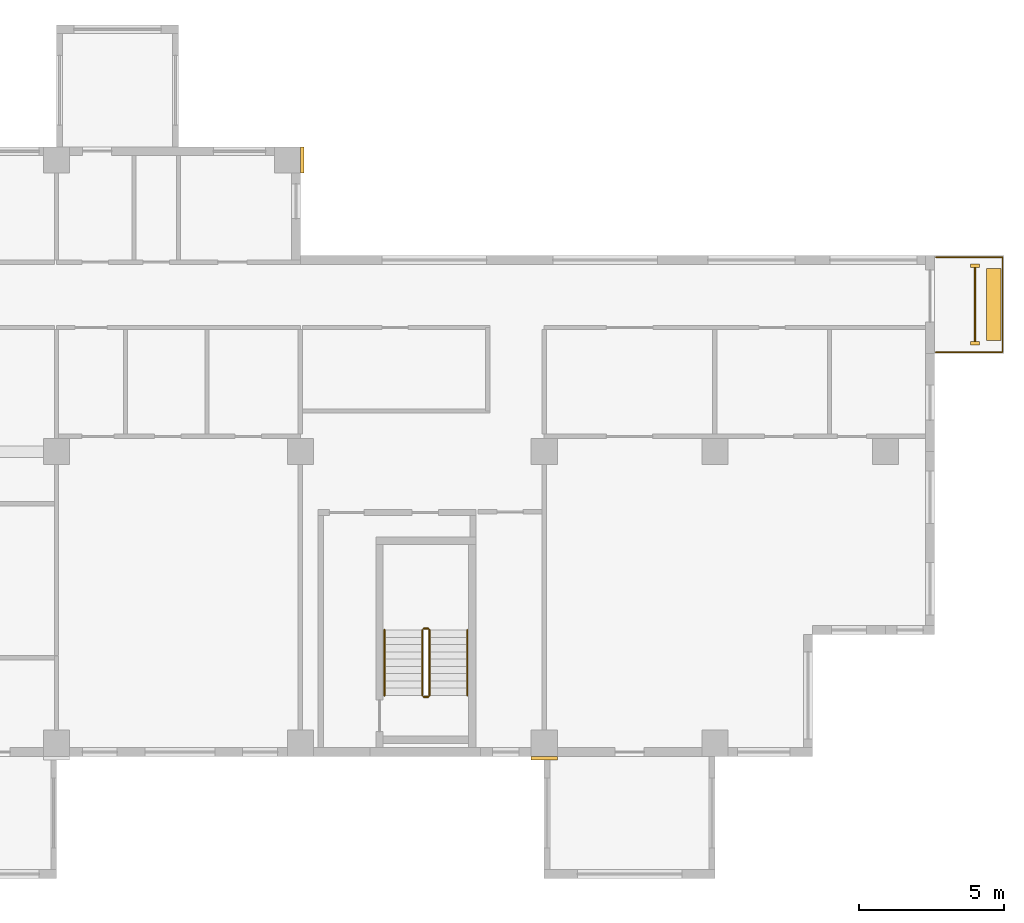
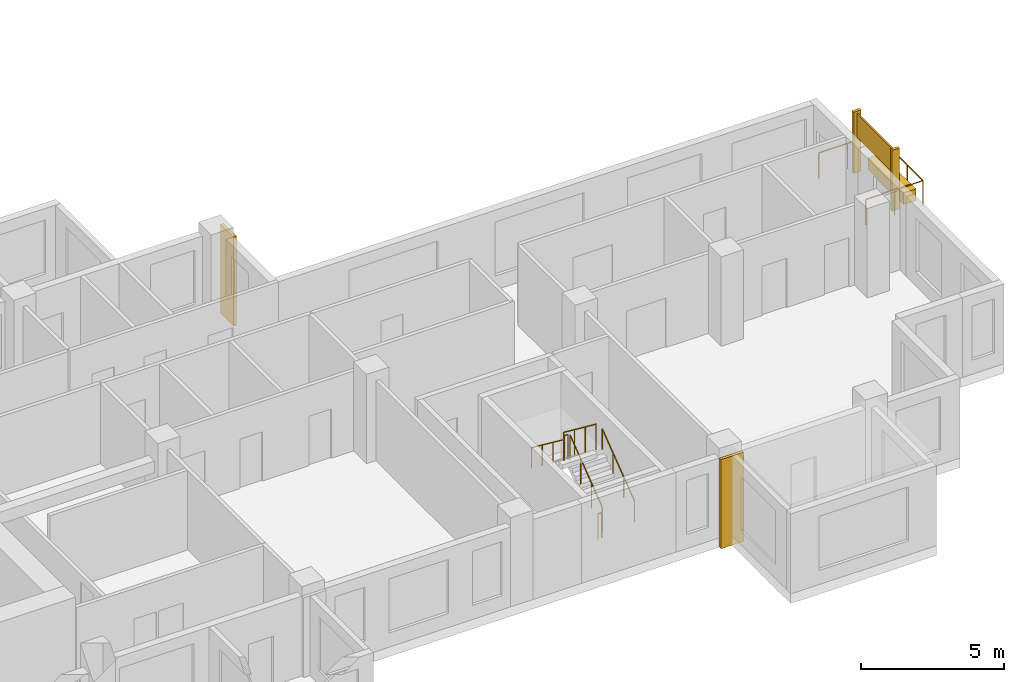
# One storey, part 12 of 13: 7 railings, 6 coverings.
"""IFC4 building model written with IfcOpenShell, lengths in metres."""

from ifc_helpers import new_model, si_unit, direction, frame, origin, origin_2d, place, context, subcontext, project, spatial, rectangle, circle, extrude, source, transform, mapped, material, type_object, element, save


model = new_model("IFC4")

# Units and contexts
model_context = context("Model", 3, precision=1e-05, world=origin(), true_north=direction((0.0, 1.0)))
body_context = subcontext(model_context, "Body", "Model", "MODEL_VIEW")
ifc_project = project(units=[si_unit("LENGTHUNIT", "METRE"), si_unit("AREAUNIT", "SQUARE_METRE"), si_unit("VOLUMEUNIT", "CUBIC_METRE"), si_unit("PLANEANGLEUNIT", "RADIAN"), si_unit("MASSUNIT", "GRAM", prefix="KILO")], contexts=[model_context])

# Site, building, storey
site_placement = place(None, origin())
site = spatial("IfcSite", under=ifc_project, at=site_placement, CompositionType="ELEMENT")
building_placement = place(site_placement, origin())
building = spatial("IfcBuilding", under=site, at=building_placement, Name="Aurelian Terraces", CompositionType="ELEMENT")
storey_placement = place(building_placement, frame((0.0, 0.0, 193.0)))
storey = spatial("IfcBuildingStorey", under=building, at=storey_placement, Name="L42", CompositionType="ELEMENT", Elevation=193.0)

# Railing
ifc_material_1 = material(Name="Anodised aluminium", Category="aluminium")
railing_type_1 = type_object("IfcRailingType", Name="GUARD-1100", PredefinedType="GUARDRAIL", material=ifc_material_1)
railing_1_placement = place(storey_placement, frame((59.69, 13.925, 0.0)))
element("IfcRailing", 1, at=railing_1_placement, inside=storey, type_object=railing_type_1, Name="Balcony guard L42 F04.14", PredefinedType="GUARDRAIL", context=body_context, shape_type="SweptSolid", body=[
    extrude(circle(Radius=0.024, at=origin_2d()), frame((0.0, 0.0, 1.076), z_axis=(1.0, 0.0, 0.0), x_axis=(0.0, 1.0, 0.0)), (0.0, 0.0, 1.0), 2.3),
    extrude(circle(Radius=0.024, at=origin_2d()), frame((2.3, 0.0, 1.076), z_axis=(0.0, 1.0, 0.0), x_axis=(-1.0, 0.0, 0.0)), (0.0, 0.0, 1.0), 3.275),
    extrude(circle(Radius=0.024, at=origin_2d()), frame((2.3, 3.275, 1.076), z_axis=(-1.0, 0.0, 0.0), x_axis=(0.0, -1.0, 0.0)), (0.0, 0.0, 1.0), 2.3),
    extrude(circle(Radius=0.021, at=origin_2d()), origin(), (0.0, 0.0, 1.0), 1.052),
    extrude(circle(Radius=0.021, at=origin_2d()), frame((1.15, 0.0, 0.0)), (0.0, 0.0, 1.0), 1.052),
    extrude(circle(Radius=0.021, at=origin_2d()), frame((2.3, 0.0, 0.0)), (0.0, 0.0, 1.0), 1.052),
    extrude(circle(Radius=0.021, at=origin_2d()), frame((2.3, 1.0917, 0.0)), (0.0, 0.0, 1.0), 1.052),
    extrude(circle(Radius=0.021, at=origin_2d()), frame((2.3, 2.1833, 0.0)), (0.0, 0.0, 1.0), 1.052),
    extrude(circle(Radius=0.021, at=origin_2d()), frame((2.3, 3.275, 0.0)), (0.0, 0.0, 1.0), 1.052),
    extrude(circle(Radius=0.021, at=origin_2d()), frame((1.15, 3.275, 0.0)), (0.0, 0.0, 1.0), 1.052),
    extrude(circle(Radius=0.021, at=origin_2d()), frame((0.0, 3.275, 0.0)), (0.0, 0.0, 1.0), 1.052),
])

# Coverings
ifc_material_2 = material(Name="Terracotta planter with planting soil", Category="masonry")
covering_type_1 = type_object("IfcCoveringType", Name="PLANTER-TROUGH", PredefinedType="USERDEFINED", material=ifc_material_2)
covering_1_placement = place(storey_placement, frame((61.69, 15.5625, 0.0), z_axis=(0.0, 0.0, 1.0), x_axis=(1.0, 0.0, 0.0)))
element("IfcCovering", 2, at=covering_1_placement, inside=storey, type_object=covering_type_1, Name="PLANTER L42 L42-F04-14", ObjectType="PLANTER", PredefinedType="USERDEFINED", context=body_context, shape_type="SweptSolid", body=[
    extrude(rectangle(XDim=0.5, YDim=2.475, at=origin_2d()), origin(), (0.0, 0.0, 1.0), 0.5),
])
ifc_material_3 = material(Name="Terracotta rainscreen cladding", Category="masonry")
covering_type_2 = type_object("IfcCoveringType", Name="SCREEN-TC", PredefinedType="CLADDING", material=ifc_material_3)
covering_2_placement = place(storey_placement, frame((61.04, 15.5625, 1.5), z_axis=(0.0, 0.0, 1.0), x_axis=(1.0, 0.0, 0.0)))
element("IfcCovering", 3, at=covering_2_placement, inside=storey, type_object=covering_type_2, Name="SCREEN L42 L42-F04-14", PredefinedType="CLADDING", context=body_context, shape_type="SweptSolid", body=[
    extrude(rectangle(XDim=0.06, YDim=2.555, at=origin_2d()), origin(), (0.0, 0.0, 1.0), 1.0),
])
ifc_material_4 = material(Name="Terracotta rainscreen cladding relief", Category="masonry")
covering_type_3 = type_object("IfcCoveringType", Name="FIN-TC", PredefinedType="CLADDING", material=ifc_material_4)
shared_shape_1 = source(origin(), body_context, "Body", "SweptSolid", [
    extrude(rectangle(XDim=0.3, YDim=0.12, at=origin_2d()), origin(), (0.0, 0.0, 1.0), 2.6),
])
for number, where, z_axis, x_axis, name in (
    (4, (61.04, 14.225, 0.0), (0.0, 0.0, 1.0), (1.0, 0.0, 0.0), "FIN L42 L42-F04-14.1"),
    (5, (61.04, 16.9, 0.0), (0.0, 0.0, 1.0), (1.0, 0.0, 0.0), "FIN L42 L42-F04-14.2"),
):
    element("IfcCovering", number, at=place(storey_placement, frame(where, z_axis=z_axis, x_axis=x_axis)), inside=storey, type_object=covering_type_3, Name=name, PredefinedType="CLADDING", context=body_context, shape_type="MappedRepresentation", body=[
        mapped(shared_shape_1, transform((0.0, 0.0, 0.0), scale=1.0)),
    ])
covering_type_4 = type_object("IfcCoveringType", Name="BAGUETTE-TC", PredefinedType="CLADDING", material=ifc_material_4)
shared_shape_2 = source(origin(), body_context, "Body", "SweptSolid", [
    extrude(rectangle(XDim=0.9, YDim=0.12, at=origin_2d()), origin(), (0.0, 0.0, 1.0), 3.8),
])
covering_3_placement = place(storey_placement, frame((46.2, -0.06, -0.4), z_axis=(0.0, 0.0, 1.0), x_axis=(1.0, 0.0, 0.0)))
element("IfcCovering", 6, at=covering_3_placement, inside=storey, type_object=covering_type_4, Name="BAGUETTE pier L42 3", PredefinedType="CLADDING", context=body_context, shape_type="MappedRepresentation", body=[
    mapped(shared_shape_2, transform((0.0, 0.0, 0.0), scale=1.0)),
])
shared_shape_3 = source(origin(), body_context, "Body", "SweptSolid", [
    extrude(rectangle(XDim=0.12, YDim=0.9, at=origin_2d()), origin(), (0.0, 0.0, 1.0), 3.8),
])
covering_4_placement = place(storey_placement, frame((37.86, 20.55, -0.4), z_axis=(0.0, 0.0, 1.0), x_axis=(1.0, 0.0, 0.0)))
element("IfcCovering", 7, at=covering_4_placement, inside=storey, type_object=covering_type_4, Name="BAGUETTE pier L42 6", PredefinedType="CLADDING", context=body_context, shape_type="MappedRepresentation", body=[
    mapped(shared_shape_3, transform((0.0, 0.0, 0.0), scale=1.0)),
])

# Railings
ifc_material_5 = material(Name="Stainless steel", Category="steel")
railing_type_2 = type_object("IfcRailingType", Name="Stair guard 1100", PredefinedType="GUARDRAIL", material=ifc_material_5)
shared_shape_4 = source(origin(), body_context, "Body", "SweptSolid", [
    extrude(circle(Radius=0.024, at=origin_2d()), frame((0.0, 0.0, 1.076), z_axis=(-1.0, 0.0, 0.0), x_axis=(0.0, -1.0, 0.0)), (0.0, 0.0, 1.0), 0.15),
    extrude(circle(Radius=0.021, at=origin_2d()), origin(), (0.0, 0.0, 1.0), 1.052),
    extrude(circle(Radius=0.021, at=origin_2d()), frame((-0.15, 0.0, 0.0)), (0.0, 0.0, 1.0), 1.052),
])
for number, where, name in (
    (8, (42.2, 4.4, 1.9), "L42 S2 stair guard 2"),
    (9, (42.2, 2.05, 0.0), "L42 S2 stair guard 4"),
):
    element("IfcRailing", number, at=place(storey_placement, frame(where)), inside=storey, type_object=railing_type_2, Name=name, PredefinedType="GUARDRAIL", context=body_context, shape_type="MappedRepresentation", body=[
        mapped(shared_shape_4, transform((0.0, 0.0, 0.0), scale=1.0)),
    ])
shared_shape_5 = source(origin(), body_context, "Body", "SweptSolid", [
    extrude(circle(Radius=0.024, at=origin_2d()), frame((0.0, 0.0, 1.076), z_axis=(0.0, 0.796162194123, 0.605083267534), x_axis=(-1.0, 0.0, 0.0)), (0.0, 0.0, 1.0), 2.8261),
    extrude(circle(Radius=0.021, at=origin_2d()), origin(), (0.0, 0.0, 1.0), 1.052),
    extrude(circle(Radius=0.021, at=origin_2d()), frame((0.0, 0.75, 0.57)), (0.0, 0.0, 1.0), 1.052),
    extrude(circle(Radius=0.021, at=origin_2d()), frame((0.0, 1.5, 1.14)), (0.0, 0.0, 1.0), 1.052),
    extrude(circle(Radius=0.021, at=origin_2d()), frame((0.0, 2.25, 1.71)), (0.0, 0.0, 1.0), 1.052),
])
railing_2_placement = place(storey_placement, frame((42.25, 2.1, 0.19)))
element("IfcRailing", 10, at=railing_2_placement, inside=storey, type_object=railing_type_2, Name="L42 S2 stair guard 1", PredefinedType="GUARDRAIL", context=body_context, shape_type="MappedRepresentation", body=[
    mapped(shared_shape_5, transform((0.0, 0.0, 0.0), scale=1.0)),
])
shared_shape_6 = source(origin(), body_context, "Body", "SweptSolid", [
    extrude(circle(Radius=0.024, at=origin_2d()), frame((0.0, 0.0, 1.076), z_axis=(0.0, -0.796162194123, 0.605083267534), x_axis=(1.0, 0.0, 0.0)), (0.0, 0.0, 1.0), 2.8261),
    extrude(circle(Radius=0.021, at=origin_2d()), origin(), (0.0, 0.0, 1.0), 1.052),
    extrude(circle(Radius=0.021, at=origin_2d()), frame((0.0, -0.75, 0.57)), (0.0, 0.0, 1.0), 1.052),
    extrude(circle(Radius=0.021, at=origin_2d()), frame((0.0, -1.5, 1.14)), (0.0, 0.0, 1.0), 1.052),
    extrude(circle(Radius=0.021, at=origin_2d()), frame((0.0, -2.25, 1.71)), (0.0, 0.0, 1.0), 1.052),
])
railing_3_placement = place(storey_placement, frame((42.0, 4.35, 2.09)))
element("IfcRailing", 11, at=railing_3_placement, inside=storey, type_object=railing_type_2, Name="L42 S2 stair guard 3", PredefinedType="GUARDRAIL", context=body_context, shape_type="MappedRepresentation", body=[
    mapped(shared_shape_6, transform((0.0, 0.0, 0.0), scale=1.0)),
])
railing_type_3 = type_object("IfcRailingType", Name="Stair handrail", PredefinedType="HANDRAIL", material=ifc_material_5)
shared_shape_7 = source(origin(), body_context, "Body", "SweptSolid", [
    extrude(circle(Radius=0.024, at=origin_2d()), frame((0.0, 0.0, 0.876), z_axis=(0.0, 0.796162194123, 0.605083267534), x_axis=(-1.0, 0.0, 0.0)), (0.0, 0.0, 1.0), 2.8261),
    extrude(circle(Radius=0.021, at=origin_2d()), origin(), (0.0, 0.0, 1.0), 0.852),
    extrude(circle(Radius=0.021, at=origin_2d()), frame((0.0, 0.75, 0.57)), (0.0, 0.0, 1.0), 0.852),
    extrude(circle(Radius=0.021, at=origin_2d()), frame((0.0, 1.5, 1.14)), (0.0, 0.0, 1.0), 0.852),
    extrude(circle(Radius=0.021, at=origin_2d()), frame((0.0, 2.25, 1.71)), (0.0, 0.0, 1.0), 0.852),
])
railing_4_placement = place(storey_placement, frame((43.55, 2.1, 0.19)))
element("IfcRailing", 12, at=railing_4_placement, inside=storey, type_object=railing_type_3, Name="L42 S2 stair handrail 1", PredefinedType="HANDRAIL", context=body_context, shape_type="MappedRepresentation", body=[
    mapped(shared_shape_7, transform((0.0, 0.0, 0.0), scale=1.0)),
])
shared_shape_8 = source(origin(), body_context, "Body", "SweptSolid", [
    extrude(circle(Radius=0.024, at=origin_2d()), frame((0.0, 0.0, 0.876), z_axis=(0.0, -0.796162194123, 0.605083267534), x_axis=(1.0, 0.0, 0.0)), (0.0, 0.0, 1.0), 2.8261),
    extrude(circle(Radius=0.021, at=origin_2d()), origin(), (0.0, 0.0, 1.0), 0.852),
    extrude(circle(Radius=0.021, at=origin_2d()), frame((0.0, -0.75, 0.57)), (0.0, 0.0, 1.0), 0.852),
    extrude(circle(Radius=0.021, at=origin_2d()), frame((0.0, -1.5, 1.14)), (0.0, 0.0, 1.0), 0.852),
    extrude(circle(Radius=0.021, at=origin_2d()), frame((0.0, -2.25, 1.71)), (0.0, 0.0, 1.0), 0.852),
])
railing_5_placement = place(storey_placement, frame((40.7, 4.35, 2.09)))
element("IfcRailing", 13, at=railing_5_placement, inside=storey, type_object=railing_type_3, Name="L42 S2 stair handrail 2", PredefinedType="HANDRAIL", context=body_context, shape_type="MappedRepresentation", body=[
    mapped(shared_shape_8, transform((0.0, 0.0, 0.0), scale=1.0)),
])

save(model, "model.ifc")
